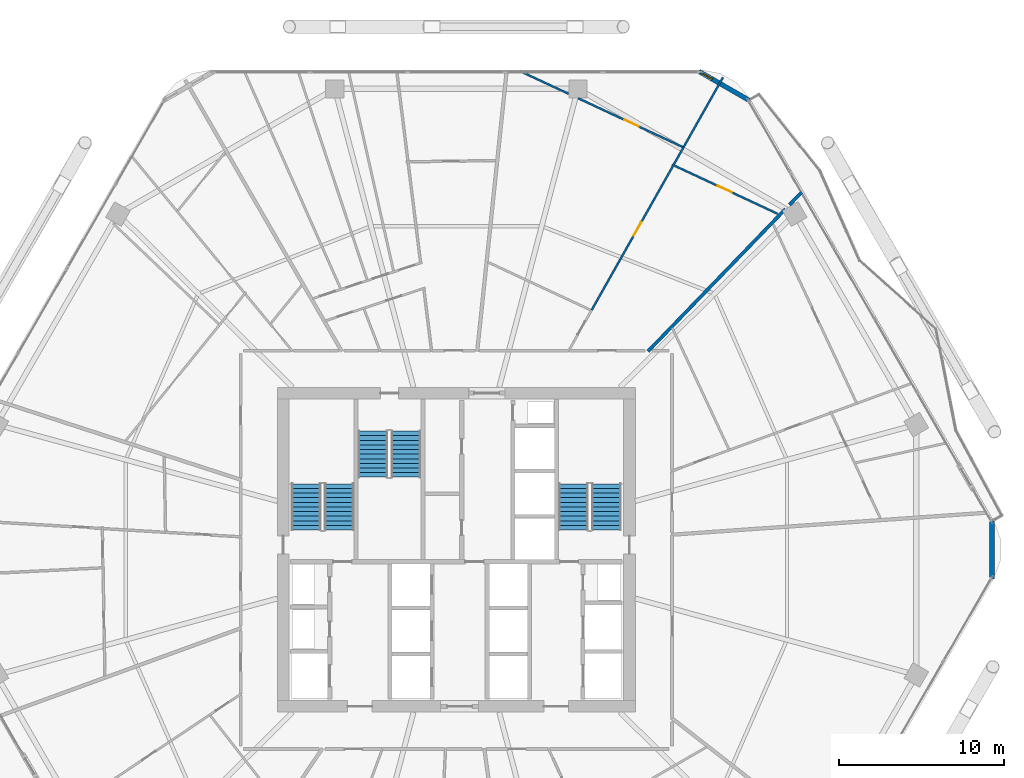
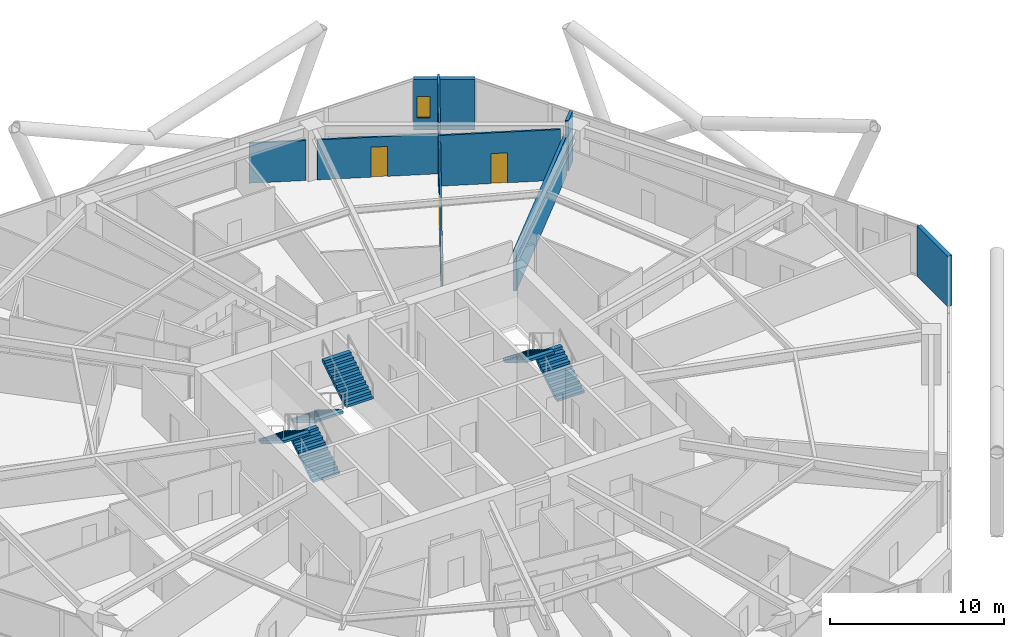
# One storey, part 31 of 34: 10 walls, 6 stair flights, 3 doors, 1 window, 4 openings, 3 elements without a shape of their own.
"""IFC4 building model written with IfcOpenShell, lengths in metres."""

from ifc_helpers import new_model, si_unit, direction, frame, frame_2d, origin, place, context, subcontext, project, spatial, polyline, rectangle, outline, extrude, material, layer, layer_set, type_object, element, fill, aggregate, save


model = new_model("IFC4")

# Units and contexts
model_context = context("Model", 3, precision=1e-05, world=origin(), true_north=direction((0.0, 1.0)))
body_context = subcontext(model_context, "Body", "Model", "MODEL_VIEW")
ifc_project = project(units=[si_unit("LENGTHUNIT", "METRE"), si_unit("AREAUNIT", "SQUARE_METRE"), si_unit("VOLUMEUNIT", "CUBIC_METRE"), si_unit("PLANEANGLEUNIT", "RADIAN"), si_unit("MASSUNIT", "GRAM", prefix="KILO")], contexts=[model_context])

# Site, building, storey
site_placement = place(None, origin())
site = spatial("IfcSite", under=ifc_project, at=site_placement, CompositionType="ELEMENT")
building_placement = place(site_placement, origin())
building = spatial("IfcBuilding", under=site, at=building_placement, Name="Zuhravey Tower", CompositionType="ELEMENT")
storey_placement = place(building_placement, frame((0.0, 0.0, 100.0)))
storey = spatial("IfcBuildingStorey", under=building, at=storey_placement, Name="L24", CompositionType="ELEMENT", Elevation=100.0)

# Wall, opening, window
ifc_material_1 = material(Name="Precast concrete C40/50", Category="concrete")
ifc_layer_1 = layer(ifc_material_1, 0.280029296875)
ifc_layer_set_1 = layer_set([ifc_layer_1], Name="Precast concrete C40/50")
wall_type_1 = type_object("IfcWallType", Name="Crown Architectural Wall 280", PredefinedType="SOLIDWALL", material=ifc_layer_set_1)
wall_1_placement = place(storey_placement, frame((50.71728515625, 61.006103515625, 0.0), z_axis=(0.0, 0.0, 1.0), x_axis=(0.866007452331, -0.500031091541, 0.0)))
wall_1 = element("IfcWall", 1, at=wall_1_placement, inside=storey, type_object=wall_type_1, Name="L24 Rounded Corner Closure Wall EW28-10", PredefinedType="SOLIDWALL", context=body_context, shape_type="SweptSolid", body=[
    extrude(rectangle(XDim=3.514892578125, YDim=0.280029296875, at=frame_2d((1.75732421875, 0.0))), origin(), (0.0, 0.0, 1.0), 3.550048828125),
])
opening_1_placement = place(wall_1_placement, frame((0.18212890625, 0.0, 0.85009765625)))
opening_1 = element("IfcOpeningElement", 2, at=opening_1_placement, cuts=wall_1, Name="Opening WN5", PredefinedType="OPENING", context=body_context, shape_type="SweptSolid", body=[
    extrude(rectangle(XDim=0.75, YDim=1.5, at=frame_2d((0.375, 0.75))), frame((0.0, 0.152099609375, 0.0), z_axis=(0.0, -1.0, 0.0), x_axis=(1.0, 0.0, 0.0)), (0.0, 0.0, 1.0), 0.303955078125),
])
ifc_material_2 = material(Name="Thermally broken aluminium and triple low-E glass", Category="aluminium")
window_type = type_object("IfcWindowType", Name="Residential Corner Casement Window 750x1500", PartitioningType="SINGLE_PANEL", PredefinedType="WINDOW", material=ifc_material_2)
window_placement = place(opening_1_placement, origin())
window = element("IfcWindow", 3, at=window_placement, inside=storey, type_object=window_type, Name="L24 Corner Casement Window WN5-10.1", OverallHeight=1.5, OverallWidth=0.75, PartitioningType="SINGLE_PANEL", PredefinedType="WINDOW", context=body_context, shape_type="SweptSolid", body=[
    extrude(rectangle(XDim=0.75, YDim=1.5, at=frame_2d((0.375, 0.75))), frame((0.0, 0.030029296875, 0.0), z_axis=(0.0, -1.0, 0.0), x_axis=(1.0, 0.0, 0.0)), (0.0, 0.0, 1.0), 0.06005859375),
])
fill(opening_1, window)

# Walls
wall_2_placement = place(storey_placement, frame((68.478515625, 33.757568359375, 0.0), z_axis=(0.0, 0.0, 1.0), x_axis=(0.0, -1.0, 0.0)))
element("IfcWall", 4, at=wall_2_placement, inside=storey, type_object=wall_type_1, Name="L24 Rounded Corner Closure Wall EW28-12", PredefinedType="SOLIDWALL", context=body_context, shape_type="SweptSolid", body=[
    extrude(rectangle(XDim=3.51513671875, YDim=0.280029296875, at=frame_2d((1.757568359375, 0.0))), origin(), (0.0, 0.0, 1.0), 3.550048828125),
])
ifc_material_3 = material(Name="Gypsum double-stud party assembly")
ifc_layer_2 = layer(ifc_material_3, 0.199951171875)
ifc_layer_set_2 = layer_set([ifc_layer_2], Name="Gypsum double-stud party assembly")
wall_type_2 = type_object("IfcWallType", Name="Inter-Tenancy Party Wall 200", PredefinedType="PARTITIONING", material=ifc_layer_set_2)
wall_3_placement = place(storey_placement, frame((47.626953125, 44.0400390625, 0.0), z_axis=(0.0, 0.0, 1.0), x_axis=(0.694659610847, 0.719338602508, 0.0)))
element("IfcWall", 5, at=wall_3_placement, inside=storey, type_object=wall_type_2, Name="L24 IW20 Partition 075", PredefinedType="PARTITIONING", context=body_context, shape_type="SweptSolid", body=[
    extrude(rectangle(XDim=11.97998046875, YDim=0.199951171875, at=frame_2d((5.989990234375, 0.0))), origin(), (0.0, 0.0, 1.0), 2.800048828125),
])
wall_4_placement = place(storey_placement, frame((56.208984375, 52.927001953125, 0.0), z_axis=(0.0, 0.0, 1.0), x_axis=(0.694716755503, 0.719283413977, 0.0)))
element("IfcWall", 6, at=wall_4_placement, inside=storey, type_object=wall_type_2, Name="L24 IW20 Partition 076", PredefinedType="PARTITIONING", context=body_context, shape_type="SweptSolid", body=[
    extrude(rectangle(XDim=1.033447265625, YDim=0.199951171875, at=frame_2d((0.5166015625, 0.0))), origin(), (0.0, 0.0, 1.0), 3.550048828125),
])

# Wall, opening, door
ifc_material_4 = material(Name="Gypsum metal-stud partition")
ifc_layer_3 = layer(ifc_material_4, 0.1201171875)
ifc_layer_set_3 = layer_set([ifc_layer_3], Name="Gypsum metal-stud partition")
wall_type_3 = type_object("IfcWallType", Name="Unit Internal Partition 120", PredefinedType="PARTITIONING", material=ifc_layer_set_3)
wall_5_placement = place(storey_placement, frame((55.47509765625, 52.377197265625, 0.0), z_axis=(0.0, 0.0, 1.0), x_axis=(-0.906311093924, 0.422611170026, 0.0)))
wall_5 = element("IfcWall", 7, at=wall_5_placement, inside=storey, type_object=wall_type_3, Name="L24 IW12 Partition 025", PredefinedType="PARTITIONING", context=body_context, shape_type="SweptSolid", body=[
    extrude(rectangle(XDim=7.065673828125, YDim=0.1201171875, at=frame_2d((3.53271484375, 0.0))), origin(), (0.0, 0.0, 1.0), 3.550048828125),
])
opening_2_placement = place(wall_5_placement, frame((3.05810546875, 0.0, 0.0)))
opening_2 = element("IfcOpeningElement", 8, at=opening_2_placement, cuts=wall_5, Name="Opening IND1", PredefinedType="OPENING", context=body_context, shape_type="SweptSolid", body=[
    extrude(rectangle(XDim=0.949951171875, YDim=2.10009765625, at=frame_2d((0.47509765625, 1.050048828125))), frame((0.0, 0.072021484375, 0.0), z_axis=(0.0, -1.0, 0.0), x_axis=(1.0, 0.0, 0.0)), (0.0, 0.0, 1.0), 0.14404296875),
])
ifc_material_5 = material(Name="Painted engineered timber leaf", Category="wood")
door_type = type_object("IfcDoorType", Name="Internal Room & Bedroom Door 950x2100", OperationType="NOTDEFINED", PredefinedType="DOOR", material=ifc_material_5)
door_1_placement = place(opening_2_placement, frame((0.949951171875, 0.0, 0.0), z_axis=(0.0, 0.0, 1.0), x_axis=(-1.0, 0.0, 0.0)))
door_1 = element("IfcDoor", 9, at=door_1_placement, inside=storey, type_object=door_type, Name="Apartment L24-02 Family Study Door", OperationType="SINGLE_SWING_RIGHT", OverallHeight=2.10009765625, OverallWidth=0.949951171875, PredefinedType="DOOR", context=body_context, shape_type="SweptSolid", body=[
    extrude(rectangle(XDim=0.949951171875, YDim=2.10009765625, at=frame_2d((0.47509765625, 1.050048828125))), frame((0.0, 0.02490234375, 0.0), z_axis=(0.0, -1.0, 0.0), x_axis=(1.0, 0.0, 0.0)), (0.0, 0.0, 1.0), 0.050048828125),
])
fill(opening_2, door_1)

wall_6_placement = place(storey_placement, frame((44.204345703125, 46.53662109375, 0.0), z_axis=(0.0, 0.0, 1.0), x_axis=(0.491507930141, 0.870873099027, 0.0)))
wall_6 = element("IfcWall", 10, at=wall_6_placement, inside=storey, type_object=wall_type_3, Name="L24 IW12 Partition 027", PredefinedType="PARTITIONING", context=body_context, shape_type="SweptSolid", body=[
    extrude(rectangle(XDim=10.018798828125, YDim=0.1201171875, at=frame_2d((5.00927734375, 0.0))), origin(), (0.0, 0.0, 1.0), 3.10009765625),
])
opening_3_placement = place(wall_6_placement, frame((5.17626953125, 0.0, 0.0)))
opening_3 = element("IfcOpeningElement", 11, at=opening_3_placement, cuts=wall_6, Name="Opening IND1", PredefinedType="OPENING", context=body_context, shape_type="SweptSolid", body=[
    extrude(rectangle(XDim=0.949951171875, YDim=2.10009765625, at=frame_2d((0.47509765625, 1.050048828125))), frame((0.0, 0.072021484375, 0.0), z_axis=(0.0, -1.0, 0.0), x_axis=(1.0, 0.0, 0.0)), (0.0, 0.0, 1.0), 0.14404296875),
])
door_2_placement = place(opening_3_placement, origin())
door_2 = element("IfcDoor", 12, at=door_2_placement, inside=storey, type_object=door_type, Name="Apartment L24-02 Home Office Door", OperationType="SINGLE_SWING_RIGHT", OverallHeight=2.10009765625, OverallWidth=0.949951171875, PredefinedType="DOOR", context=body_context, shape_type="SweptSolid", body=[
    extrude(rectangle(XDim=0.949951171875, YDim=2.10009765625, at=frame_2d((0.47509765625, 1.050048828125))), frame((0.0, 0.02490234375, 0.0), z_axis=(0.0, -1.0, 0.0), x_axis=(1.0, 0.0, 0.0)), (0.0, 0.0, 1.0), 0.050048828125),
])
fill(opening_3, door_2)

# Wall
wall_7_placement = place(storey_placement, frame((49.19580078125, 55.38037109375, 0.0), z_axis=(0.0, 0.0, 1.0), x_axis=(0.491432242221, 0.870915811836, 0.0)))
element("IfcWall", 13, at=wall_7_placement, inside=storey, type_object=wall_type_3, Name="L24 IW12 Partition 028", PredefinedType="PARTITIONING", context=body_context, shape_type="SweptSolid", body=[
    extrude(rectangle(XDim=1.197265625, YDim=0.1201171875, at=frame_2d((0.5986328125, 0.0))), origin(), (0.0, 0.0, 1.0), 2.800048828125),
])

# Wall, opening, door
wall_8_placement = place(storey_placement, frame((49.710205078125, 56.430419921875, 0.0), z_axis=(0.0, 0.0, 1.0), x_axis=(-0.906320781417, 0.422590394084, 0.0)))
wall_8 = element("IfcWall", 14, at=wall_8_placement, inside=storey, type_object=wall_type_3, Name="L24 IW12 Partition 029", PredefinedType="PARTITIONING", context=body_context, shape_type="SweptSolid", body=[
    extrude(rectangle(XDim=6.97607421875, YDim=0.1201171875, at=frame_2d((3.488037109375, 0.0))), origin(), (0.0, 0.0, 1.0), 2.800048828125),
])
opening_4_placement = place(wall_8_placement, frame((2.9287109375, 0.0, 0.0)))
opening_4 = element("IfcOpeningElement", 15, at=opening_4_placement, cuts=wall_8, Name="Opening IND1", PredefinedType="OPENING", context=body_context, shape_type="SweptSolid", body=[
    extrude(rectangle(XDim=0.949951171875, YDim=2.10009765625, at=frame_2d((0.47509765625, 1.050048828125))), frame((0.0, 0.072021484375, 0.0), z_axis=(0.0, -1.0, 0.0), x_axis=(1.0, 0.0, 0.0)), (0.0, 0.0, 1.0), 0.14404296875),
])
door_3_placement = place(opening_4_placement, frame((0.949951171875, 0.0, 0.0), z_axis=(0.0, 0.0, 1.0), x_axis=(-1.0, 0.0, 0.0)))
door_3 = element("IfcDoor", 16, at=door_3_placement, inside=storey, type_object=door_type, Name="Apartment L24-02 Bedroom 1 Door", OperationType="SINGLE_SWING_LEFT", OverallHeight=2.10009765625, OverallWidth=0.949951171875, PredefinedType="DOOR", context=body_context, shape_type="SweptSolid", body=[
    extrude(rectangle(XDim=0.949951171875, YDim=2.10009765625, at=frame_2d((0.47509765625, 1.050048828125))), frame((0.0, 0.02490234375, 0.0), z_axis=(0.0, -1.0, 0.0), x_axis=(1.0, 0.0, 0.0)), (0.0, 0.0, 1.0), 0.050048828125),
])
fill(opening_4, door_3)

# Walls
wall_9_placement = place(storey_placement, frame((49.7841796875, 56.423095703125, 0.0), z_axis=(0.0, 0.0, 1.0), x_axis=(0.491502522911, 0.870876150766, 0.0)))
element("IfcWall", 17, at=wall_9_placement, inside=storey, type_object=wall_type_3, Name="L24 IW12 Partition 078", PredefinedType="PARTITIONING", context=body_context, shape_type="SweptSolid", body=[
    extrude(rectangle(XDim=4.844482421875, YDim=0.1201171875, at=frame_2d((2.42236328125, 0.0))), origin(), (0.0, 0.0, 1.0), 3.550048828125),
])
wall_10_placement = place(storey_placement, frame((42.800048828125, 59.652587890625, 0.0), z_axis=(0.0, 0.0, 1.0), x_axis=(-0.906316219076, 0.422600178702, 0.0)))
element("IfcWall", 18, at=wall_10_placement, inside=storey, type_object=wall_type_3, Name="L24 IW12 Partition 080", PredefinedType="PARTITIONING", context=body_context, shape_type="SweptSolid", body=[
    extrude(rectangle(XDim=3.27978515625, YDim=0.1201171875, at=frame_2d((1.639892578125, 0.0))), origin(), (0.0, 0.0, 1.0), 2.800048828125),
])

# Stair, stair flights
ifc_material_6 = material(Name="Concrete C40/50", Category="concrete")
stair_type = type_object("IfcStairType", Name="Housing Storey Stair Assembly 3800", PredefinedType="HALF_TURN_STAIR", material=ifc_material_6)
stair_1_placement = place(storey_placement, origin())
stair_1 = element("IfcStair", 19, at=stair_1_placement, inside=storey, type_object=stair_type, Name="L24 Core Exit Stair ST1", PredefinedType="HALF_TURN_STAIR")
stair_flight_type = type_object("IfcStairFlightType", Name="Housing Storey Stair Flight 3800", PredefinedType="STRAIGHT", material=ifc_material_6)
stair_flight_1_placement = place(storey_placement, frame((28.89990234375, 33.199951171875, 0.0), z_axis=(0.0, 0.0, 1.0), x_axis=(0.0, 1.0, 0.0)))
stair_flight_1 = element("IfcStairFlight", 20, at=stair_flight_1_placement, type_object=stair_flight_type, Name="ST1 flight 1", NumberOfRisers=11, NumberOfTreads=10, PredefinedType="STRAIGHT", RiserHeight=0.172727273, TreadLength=0.28, context=body_context, shape_type="SweptSolid", body=[
    extrude(outline(polyline([(0.0, 0.0), (0.0, 0.172607421875), (0.280029296875, 0.172607421875), (0.280029296875, 0.345458984375), (0.56005859375, 0.345458984375), (0.56005859375, 0.51806640625), (0.840087890625, 0.51806640625), (0.840087890625, 0.69091796875), (1.1201171875, 0.69091796875), (1.1201171875, 0.863525390625), (1.39990234375, 0.863525390625), (1.39990234375, 1.036376953125), (1.679931640625, 1.036376953125), (1.679931640625, 1.208984375), (1.9599609375, 1.208984375), (1.9599609375, 1.3818359375), (2.239990234375, 1.3818359375), (2.239990234375, 1.554443359375), (2.52001953125, 1.554443359375), (2.52001953125, 1.727294921875), (2.800048828125, 1.727294921875), (2.800048828125, 1.89990234375), (2.800048828125, 1.551025390625), (0.285400390625, 0.0), (0.0, 0.0)])), frame((0.0, 0.89990234375, 0.0), z_axis=(0.0, -1.0, 0.0), x_axis=(1.0, 0.0, 0.0)), (0.0, 0.0, 1.0), 1.800048828125),
])
stair_flight_2_placement = place(storey_placement, frame((26.89990234375, 36.0, 1.89990234375), z_axis=(0.0, 0.0, 1.0), x_axis=(0.0, -1.0, 0.0)))
stair_flight_2 = element("IfcStairFlight", 21, at=stair_flight_2_placement, type_object=stair_flight_type, Name="ST1 flight 2", NumberOfRisers=11, NumberOfTreads=10, PredefinedType="STRAIGHT", RiserHeight=0.172727273, TreadLength=0.28, context=body_context, shape_type="SweptSolid", body=[
    extrude(outline(polyline([(0.0, 0.0), (0.0, 0.172607421875), (0.280029296875, 0.172607421875), (0.280029296875, 0.345458984375), (0.56005859375, 0.345458984375), (0.56005859375, 0.51806640625), (0.840087890625, 0.51806640625), (0.840087890625, 0.69091796875), (1.1201171875, 0.69091796875), (1.1201171875, 0.863525390625), (1.39990234375, 0.863525390625), (1.39990234375, 1.036376953125), (1.679931640625, 1.036376953125), (1.679931640625, 1.208984375), (1.9599609375, 1.208984375), (1.9599609375, 1.3818359375), (2.239990234375, 1.3818359375), (2.239990234375, 1.554443359375), (2.52001953125, 1.554443359375), (2.52001953125, 1.727294921875), (2.800048828125, 1.727294921875), (2.800048828125, 1.89990234375), (2.800048828125, 1.551025390625), (0.285400390625, 0.0), (0.0, 0.0)])), frame((0.0, 0.89990234375, 0.0), z_axis=(0.0, -1.0, 0.0), x_axis=(1.0, 0.0, 0.0)), (0.0, 0.0, 1.0), 1.800048828125),
])
aggregate(stair_1, [stair_flight_1, stair_flight_2])

stair_2_placement = place(storey_placement, origin())
stair_2 = element("IfcStair", 22, at=stair_2_placement, inside=storey, type_object=stair_type, Name="L24 Core Exit Stair ST2", PredefinedType="HALF_TURN_STAIR")
stair_flight_3_placement = place(storey_placement, frame((45.10009765625, 33.199951171875, 0.0), z_axis=(0.0, 0.0, 1.0), x_axis=(0.0, 1.0, 0.0)))
stair_flight_3 = element("IfcStairFlight", 23, at=stair_flight_3_placement, type_object=stair_flight_type, Name="ST2 flight 1", NumberOfRisers=11, NumberOfTreads=10, PredefinedType="STRAIGHT", RiserHeight=0.172727273, TreadLength=0.28, context=body_context, shape_type="SweptSolid", body=[
    extrude(outline(polyline([(0.0, 0.0), (0.0, 0.172607421875), (0.280029296875, 0.172607421875), (0.280029296875, 0.345458984375), (0.56005859375, 0.345458984375), (0.56005859375, 0.51806640625), (0.840087890625, 0.51806640625), (0.840087890625, 0.69091796875), (1.1201171875, 0.69091796875), (1.1201171875, 0.863525390625), (1.39990234375, 0.863525390625), (1.39990234375, 1.036376953125), (1.679931640625, 1.036376953125), (1.679931640625, 1.208984375), (1.9599609375, 1.208984375), (1.9599609375, 1.3818359375), (2.239990234375, 1.3818359375), (2.239990234375, 1.554443359375), (2.52001953125, 1.554443359375), (2.52001953125, 1.727294921875), (2.800048828125, 1.727294921875), (2.800048828125, 1.89990234375), (2.800048828125, 1.551025390625), (0.285400390625, 0.0), (0.0, 0.0)])), frame((0.0, 0.89990234375, 0.0), z_axis=(0.0, -1.0, 0.0), x_axis=(1.0, 0.0, 0.0)), (0.0, 0.0, 1.0), 1.800048828125),
])
stair_flight_4_placement = place(storey_placement, frame((43.10009765625, 36.0, 1.89990234375), z_axis=(0.0, 0.0, 1.0), x_axis=(0.0, -1.0, 0.0)))
stair_flight_4 = element("IfcStairFlight", 24, at=stair_flight_4_placement, type_object=stair_flight_type, Name="ST2 flight 2", NumberOfRisers=11, NumberOfTreads=10, PredefinedType="STRAIGHT", RiserHeight=0.172727273, TreadLength=0.28, context=body_context, shape_type="SweptSolid", body=[
    extrude(outline(polyline([(0.0, 0.0), (0.0, 0.172607421875), (0.280029296875, 0.172607421875), (0.280029296875, 0.345458984375), (0.56005859375, 0.345458984375), (0.56005859375, 0.51806640625), (0.840087890625, 0.51806640625), (0.840087890625, 0.69091796875), (1.1201171875, 0.69091796875), (1.1201171875, 0.863525390625), (1.39990234375, 0.863525390625), (1.39990234375, 1.036376953125), (1.679931640625, 1.036376953125), (1.679931640625, 1.208984375), (1.9599609375, 1.208984375), (1.9599609375, 1.3818359375), (2.239990234375, 1.3818359375), (2.239990234375, 1.554443359375), (2.52001953125, 1.554443359375), (2.52001953125, 1.727294921875), (2.800048828125, 1.727294921875), (2.800048828125, 1.89990234375), (2.800048828125, 1.551025390625), (0.285400390625, 0.0), (0.0, 0.0)])), frame((0.0, 0.89990234375, 0.0), z_axis=(0.0, -1.0, 0.0), x_axis=(1.0, 0.0, 0.0)), (0.0, 0.0, 1.0), 1.800048828125),
])
aggregate(stair_2, [stair_flight_3, stair_flight_4])

stair_3_placement = place(storey_placement, origin())
stair_3 = element("IfcStair", 25, at=stair_3_placement, inside=storey, type_object=stair_type, Name="L24 Core Exit Stair ST3", PredefinedType="HALF_TURN_STAIR")
stair_flight_5_placement = place(storey_placement, frame((30.949951171875, 39.199951171875, 0.0), z_axis=(0.0, 0.0, 1.0), x_axis=(0.0, -1.0, 0.0)))
stair_flight_5 = element("IfcStairFlight", 26, at=stair_flight_5_placement, type_object=stair_flight_type, Name="ST3 flight 1", NumberOfRisers=11, NumberOfTreads=10, PredefinedType="STRAIGHT", RiserHeight=0.172727273, TreadLength=0.28, context=body_context, shape_type="SweptSolid", body=[
    extrude(outline(polyline([(0.0, 0.0), (0.0, 0.172607421875), (0.280029296875, 0.172607421875), (0.280029296875, 0.345458984375), (0.56005859375, 0.345458984375), (0.56005859375, 0.51806640625), (0.840087890625, 0.51806640625), (0.840087890625, 0.69091796875), (1.1201171875, 0.69091796875), (1.1201171875, 0.863525390625), (1.39990234375, 0.863525390625), (1.39990234375, 1.036376953125), (1.679931640625, 1.036376953125), (1.679931640625, 1.208984375), (1.9599609375, 1.208984375), (1.9599609375, 1.3818359375), (2.239990234375, 1.3818359375), (2.239990234375, 1.554443359375), (2.52001953125, 1.554443359375), (2.52001953125, 1.727294921875), (2.800048828125, 1.727294921875), (2.800048828125, 1.89990234375), (2.800048828125, 1.551025390625), (0.285400390625, 0.0), (0.0, 0.0)])), frame((0.0, 0.89990234375, 0.0), z_axis=(0.0, -1.0, 0.0), x_axis=(1.0, 0.0, 0.0)), (0.0, 0.0, 1.0), 1.800048828125),
])
stair_flight_6_placement = place(storey_placement, frame((32.949951171875, 36.39990234375, 1.89990234375), z_axis=(0.0, 0.0, 1.0), x_axis=(0.0, 1.0, 0.0)))
stair_flight_6 = element("IfcStairFlight", 27, at=stair_flight_6_placement, type_object=stair_flight_type, Name="ST3 flight 2", NumberOfRisers=11, NumberOfTreads=10, PredefinedType="STRAIGHT", RiserHeight=0.172727273, TreadLength=0.28, context=body_context, shape_type="SweptSolid", body=[
    extrude(outline(polyline([(0.0, 0.0), (0.0, 0.172607421875), (0.280029296875, 0.172607421875), (0.280029296875, 0.345458984375), (0.56005859375, 0.345458984375), (0.56005859375, 0.51806640625), (0.840087890625, 0.51806640625), (0.840087890625, 0.69091796875), (1.1201171875, 0.69091796875), (1.1201171875, 0.863525390625), (1.39990234375, 0.863525390625), (1.39990234375, 1.036376953125), (1.679931640625, 1.036376953125), (1.679931640625, 1.208984375), (1.9599609375, 1.208984375), (1.9599609375, 1.3818359375), (2.239990234375, 1.3818359375), (2.239990234375, 1.554443359375), (2.52001953125, 1.554443359375), (2.52001953125, 1.727294921875), (2.800048828125, 1.727294921875), (2.800048828125, 1.89990234375), (2.800048828125, 1.551025390625), (0.285400390625, 0.0), (0.0, 0.0)])), frame((0.0, 0.89990234375, 0.0), z_axis=(0.0, -1.0, 0.0), x_axis=(1.0, 0.0, 0.0)), (0.0, 0.0, 1.0), 1.800048828125),
])
aggregate(stair_3, [stair_flight_5, stair_flight_6])

save(model, "model.ifc")
